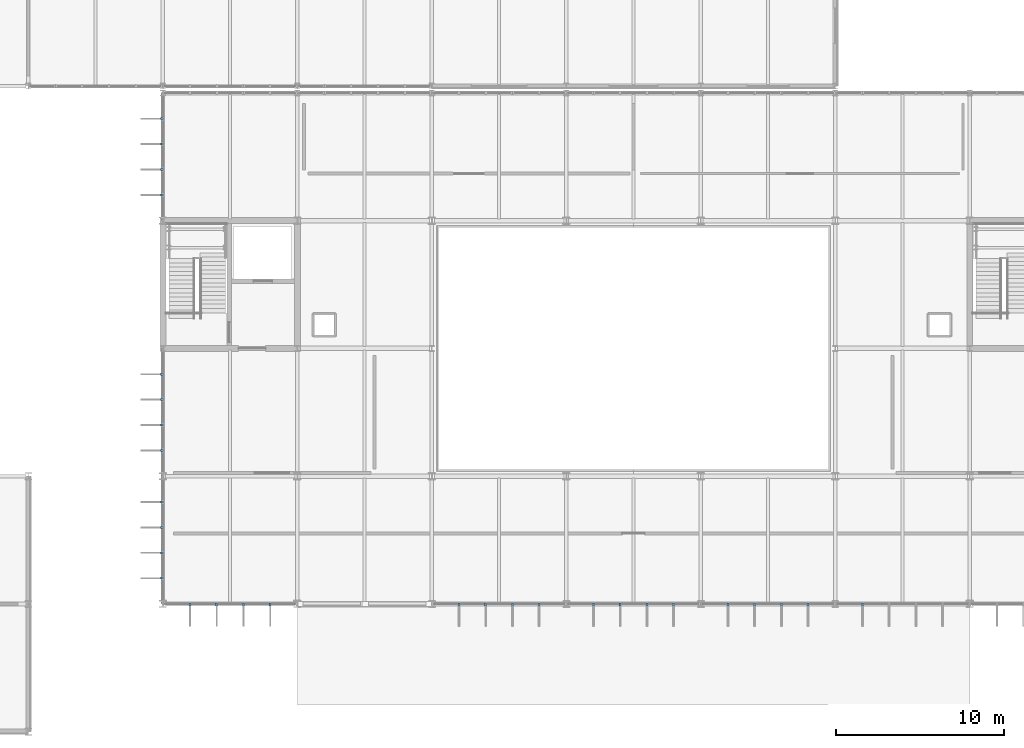
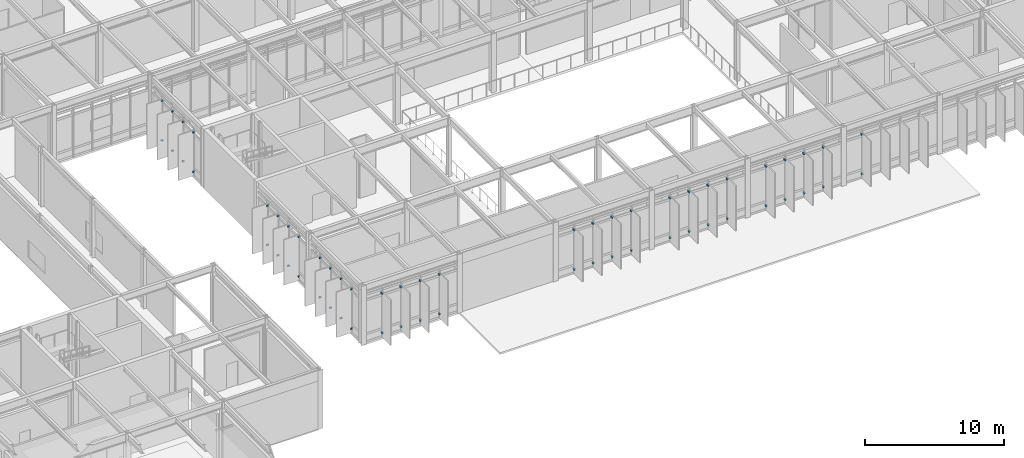
# One storey, part 83 of 94: 58 discrete accessories.
"""IFC4 building model written with IfcOpenShell, lengths in metres."""

from ifc_helpers import new_model, si_unit, direction, frame, origin, origin_2d, place, context, subcontext, project, spatial, rectangle, extrude, material, layer, layer_set, type_object, element, save


model = new_model("IFC4")

# Units and contexts
model_context = context("Model", 3, precision=1e-05, world=origin(), true_north=direction((0.0, 1.0)))
body_context = subcontext(model_context, "Body", "Model", "MODEL_VIEW")
ifc_project = project(units=[si_unit("LENGTHUNIT", "METRE"), si_unit("AREAUNIT", "SQUARE_METRE"), si_unit("VOLUMEUNIT", "CUBIC_METRE"), si_unit("PLANEANGLEUNIT", "RADIAN"), si_unit("MASSUNIT", "GRAM", prefix="KILO")], contexts=[model_context])

# Site, building, storey
site_placement = place(None, origin())
site = spatial("IfcSite", under=ifc_project, at=site_placement, CompositionType="ELEMENT")
building_placement = place(site_placement, origin())
building = spatial("IfcBuilding", under=site, at=building_placement, Name="Zulena Civic Courthouse", CompositionType="ELEMENT")
storey_placement = place(building_placement, frame((0.0, 0.0, 5.39990234375)))
storey = spatial("IfcBuildingStorey", under=building, at=storey_placement, Name="L01", CompositionType="ELEMENT", Elevation=5.39990234375)

# Discrete accessories
ifc_material = material(Name="Gold anodised architectural aluminium AA6063-T6", Category="aluminium")
ifc_layer = layer(ifc_material, 0.1201171875)
ifc_layer_set = layer_set([ifc_layer], Name="Gold anodised architectural aluminium AA6063-T6")
discrete_accessory_type = type_object("IfcDiscreteAccessoryType", Name="FinOutriggerBracket", PredefinedType="BRACKET", material=ifc_layer_set)
for number, where, z_axis, x_axis, name in (
    (1, (67.955078125, 16.734375, 0.340087890625), (0.0, 0.0, 1.0), (-1.0, 0.0, 0.0), "brk:V4:L01:0:0:1:5.80"),
    (2, (67.955078125, 16.734375, 3.820068359375), (0.0, 0.0, 1.0), (-1.0, 0.0, 0.0), "brk:V4:L01:0:0:1:9.28"),
    (3, (67.955078125, 18.244873046875, 0.340087890625), (0.0, 0.0, 1.0), (-1.0, 0.0, 0.0), "brk:V4:L01:0:0:2:5.80"),
    (4, (67.955078125, 18.244873046875, 3.820068359375), (0.0, 0.0, 1.0), (-1.0, 0.0, 0.0), "brk:V4:L01:0:0:2:9.28"),
    (5, (67.955078125, 19.755126953125, 0.340087890625), (0.0, 0.0, 1.0), (-1.0, 0.0, 0.0), "brk:V4:L01:0:0:3:5.80"),
    (6, (67.955078125, 19.755126953125, 3.820068359375), (0.0, 0.0, 1.0), (-1.0, 0.0, 0.0), "brk:V4:L01:0:0:3:9.28"),
    (7, (67.955078125, 21.265625, 0.340087890625), (0.0, 0.0, 1.0), (-1.0, 0.0, 0.0), "brk:V4:L01:0:0:4:5.80"),
    (8, (67.955078125, 21.265625, 3.820068359375), (0.0, 0.0, 1.0), (-1.0, 0.0, 0.0), "brk:V4:L01:0:0:4:9.28"),
    (9, (67.955078125, 24.33447265625, 0.340087890625), (0.0, 0.0, 1.0), (-1.0, 0.0, 0.0), "brk:V4:L01:0:1:1:5.80"),
    (10, (67.955078125, 24.33447265625, 3.820068359375), (0.0, 0.0, 1.0), (-1.0, 0.0, 0.0), "brk:V4:L01:0:1:1:9.28"),
    (11, (67.955078125, 25.8447265625, 0.340087890625), (0.0, 0.0, 1.0), (-1.0, 0.0, 0.0), "brk:V4:L01:0:1:2:5.80"),
    (12, (67.955078125, 25.8447265625, 3.820068359375), (0.0, 0.0, 1.0), (-1.0, 0.0, 0.0), "brk:V4:L01:0:1:2:9.28"),
    (13, (67.955078125, 27.355224609375, 0.340087890625), (0.0, 0.0, 1.0), (-1.0, 0.0, 0.0), "brk:V4:L01:0:1:3:5.80"),
    (14, (67.955078125, 27.355224609375, 3.820068359375), (0.0, 0.0, 1.0), (-1.0, 0.0, 0.0), "brk:V4:L01:0:1:3:9.28"),
    (15, (67.955078125, 28.865478515625, 0.340087890625), (0.0, 0.0, 1.0), (-1.0, 0.0, 0.0), "brk:V4:L01:0:1:4:5.80"),
    (16, (67.955078125, 28.865478515625, 3.820068359375), (0.0, 0.0, 1.0), (-1.0, 0.0, 0.0), "brk:V4:L01:0:1:4:9.28"),
    (17, (67.955078125, 39.534423828125, 0.340087890625), (0.0, 0.0, 1.0), (-1.0, 0.0, 0.0), "brk:V4:L01:0:3:1:5.80"),
    (18, (67.955078125, 39.534423828125, 3.820068359375), (0.0, 0.0, 1.0), (-1.0, 0.0, 0.0), "brk:V4:L01:0:3:1:9.28"),
    (19, (67.955078125, 41.044921875, 0.340087890625), (0.0, 0.0, 1.0), (-1.0, 0.0, 0.0), "brk:V4:L01:0:3:2:5.80"),
    (20, (67.955078125, 41.044921875, 3.820068359375), (0.0, 0.0, 1.0), (-1.0, 0.0, 0.0), "brk:V4:L01:0:3:2:9.28"),
    (21, (67.955078125, 42.55517578125, 0.340087890625), (0.0, 0.0, 1.0), (-1.0, 0.0, 0.0), "brk:V4:L01:0:3:3:5.80"),
    (22, (67.955078125, 42.55517578125, 3.820068359375), (0.0, 0.0, 1.0), (-1.0, 0.0, 0.0), "brk:V4:L01:0:3:3:9.28"),
    (23, (67.955078125, 44.065673828125, 0.340087890625), (0.0, 0.0, 1.0), (-1.0, 0.0, 0.0), "brk:V4:L01:0:3:4:5.80"),
    (24, (67.955078125, 44.065673828125, 3.820068359375), (0.0, 0.0, 1.0), (-1.0, 0.0, 0.0), "brk:V4:L01:0:3:4:9.28"),
    (25, (109.614501953125, 15.155029296875, 0.340087890625), (0.0, 0.0, 1.0), (0.0, -1.0, 0.0), "brk:V4:L01:3:1:4:5.80"),
    (26, (109.614501953125, 15.155029296875, 3.820068359375), (0.0, 0.0, 1.0), (0.0, -1.0, 0.0), "brk:V4:L01:3:1:4:9.28"),
    (27, (106.385498046875, 15.155029296875, 0.340087890625), (0.0, 0.0, 1.0), (0.0, -1.0, 0.0), "brk:V4:L01:3:2:1:5.80"),
    (28, (106.385498046875, 15.155029296875, 3.820068359375), (0.0, 0.0, 1.0), (0.0, -1.0, 0.0), "brk:V4:L01:3:2:1:9.28"),
    (29, (104.795166015625, 15.155029296875, 0.340087890625), (0.0, 0.0, 1.0), (0.0, -1.0, 0.0), "brk:V4:L01:3:2:2:5.80"),
    (30, (104.795166015625, 15.155029296875, 3.820068359375), (0.0, 0.0, 1.0), (0.0, -1.0, 0.0), "brk:V4:L01:3:2:2:9.28"),
    (31, (103.204833984375, 15.155029296875, 0.340087890625), (0.0, 0.0, 1.0), (0.0, -1.0, 0.0), "brk:V4:L01:3:2:3:5.80"),
    (32, (103.204833984375, 15.155029296875, 3.820068359375), (0.0, 0.0, 1.0), (0.0, -1.0, 0.0), "brk:V4:L01:3:2:3:9.28"),
    (33, (101.614501953125, 15.155029296875, 0.340087890625), (0.0, 0.0, 1.0), (0.0, -1.0, 0.0), "brk:V4:L01:3:2:4:5.80"),
    (34, (101.614501953125, 15.155029296875, 3.820068359375), (0.0, 0.0, 1.0), (0.0, -1.0, 0.0), "brk:V4:L01:3:2:4:9.28"),
    (35, (98.385498046875, 15.155029296875, 0.340087890625), (0.0, 0.0, 1.0), (0.0, -1.0, 0.0), "brk:V4:L01:3:3:1:5.80"),
    (36, (98.385498046875, 15.155029296875, 3.820068359375), (0.0, 0.0, 1.0), (0.0, -1.0, 0.0), "brk:V4:L01:3:3:1:9.28"),
    (37, (96.795166015625, 15.155029296875, 0.340087890625), (0.0, 0.0, 1.0), (0.0, -1.0, 0.0), "brk:V4:L01:3:3:2:5.80"),
    (38, (96.795166015625, 15.155029296875, 3.820068359375), (0.0, 0.0, 1.0), (0.0, -1.0, 0.0), "brk:V4:L01:3:3:2:9.28"),
    (39, (95.204833984375, 15.155029296875, 0.340087890625), (0.0, 0.0, 1.0), (0.0, -1.0, 0.0), "brk:V4:L01:3:3:3:5.80"),
    (40, (95.204833984375, 15.155029296875, 3.820068359375), (0.0, 0.0, 1.0), (0.0, -1.0, 0.0), "brk:V4:L01:3:3:3:9.28"),
    (41, (93.614501953125, 15.155029296875, 0.340087890625), (0.0, 0.0, 1.0), (0.0, -1.0, 0.0), "brk:V4:L01:3:3:4:5.80"),
    (42, (93.614501953125, 15.155029296875, 3.820068359375), (0.0, 0.0, 1.0), (0.0, -1.0, 0.0), "brk:V4:L01:3:3:4:9.28"),
    (43, (90.385498046875, 15.155029296875, 0.340087890625), (0.0, 0.0, 1.0), (0.0, -1.0, 0.0), "brk:V4:L01:3:4:1:5.80"),
    (44, (90.385498046875, 15.155029296875, 3.820068359375), (0.0, 0.0, 1.0), (0.0, -1.0, 0.0), "brk:V4:L01:3:4:1:9.28"),
    (45, (88.795166015625, 15.155029296875, 0.340087890625), (0.0, 0.0, 1.0), (0.0, -1.0, 0.0), "brk:V4:L01:3:4:2:5.80"),
    (46, (88.795166015625, 15.155029296875, 3.820068359375), (0.0, 0.0, 1.0), (0.0, -1.0, 0.0), "brk:V4:L01:3:4:2:9.28"),
    (47, (87.204833984375, 15.155029296875, 0.340087890625), (0.0, 0.0, 1.0), (0.0, -1.0, 0.0), "brk:V4:L01:3:4:3:5.80"),
    (48, (87.204833984375, 15.155029296875, 3.820068359375), (0.0, 0.0, 1.0), (0.0, -1.0, 0.0), "brk:V4:L01:3:4:3:9.28"),
    (49, (85.614501953125, 15.155029296875, 0.340087890625), (0.0, 0.0, 1.0), (0.0, -1.0, 0.0), "brk:V4:L01:3:4:4:5.80"),
    (50, (85.614501953125, 15.155029296875, 3.820068359375), (0.0, 0.0, 1.0), (0.0, -1.0, 0.0), "brk:V4:L01:3:4:4:9.28"),
    (51, (74.385498046875, 15.155029296875, 0.340087890625), (0.0, 0.0, 1.0), (0.0, -1.0, 0.0), "brk:V4:L01:3:6:1:5.80"),
    (52, (74.385498046875, 15.155029296875, 3.820068359375), (0.0, 0.0, 1.0), (0.0, -1.0, 0.0), "brk:V4:L01:3:6:1:9.28"),
    (53, (72.795166015625, 15.155029296875, 0.340087890625), (0.0, 0.0, 1.0), (0.0, -1.0, 0.0), "brk:V4:L01:3:6:2:5.80"),
    (54, (72.795166015625, 15.155029296875, 3.820068359375), (0.0, 0.0, 1.0), (0.0, -1.0, 0.0), "brk:V4:L01:3:6:2:9.28"),
    (55, (71.204833984375, 15.155029296875, 0.340087890625), (0.0, 0.0, 1.0), (0.0, -1.0, 0.0), "brk:V4:L01:3:6:3:5.80"),
    (56, (71.204833984375, 15.155029296875, 3.820068359375), (0.0, 0.0, 1.0), (0.0, -1.0, 0.0), "brk:V4:L01:3:6:3:9.28"),
    (57, (69.614501953125, 15.155029296875, 0.340087890625), (0.0, 0.0, 1.0), (0.0, -1.0, 0.0), "brk:V4:L01:3:6:4:5.80"),
    (58, (69.614501953125, 15.155029296875, 3.820068359375), (0.0, 0.0, 1.0), (0.0, -1.0, 0.0), "brk:V4:L01:3:6:4:9.28"),
):
    element("IfcDiscreteAccessory", number, at=place(storey_placement, frame(where, z_axis=z_axis, x_axis=x_axis)), inside=storey, type_object=discrete_accessory_type, Name=name, PredefinedType="BRACKET", context=body_context, shape_type="SweptSolid", body=[
        extrude(rectangle(XDim=0.179931640625, YDim=0.1201171875, at=origin_2d()), origin(), (0.0, 0.0, 1.0), 0.1201171875),
    ])

save(model, "model.ifc")
